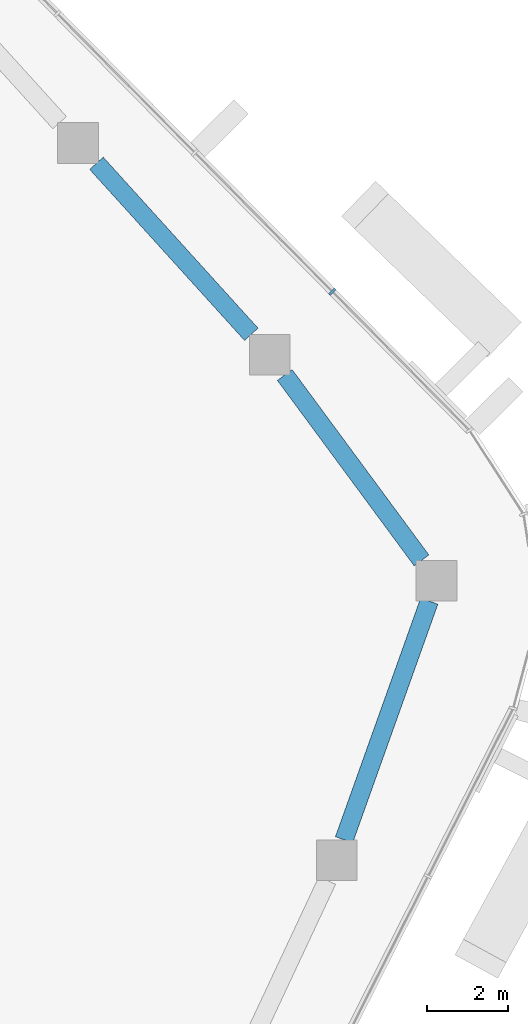
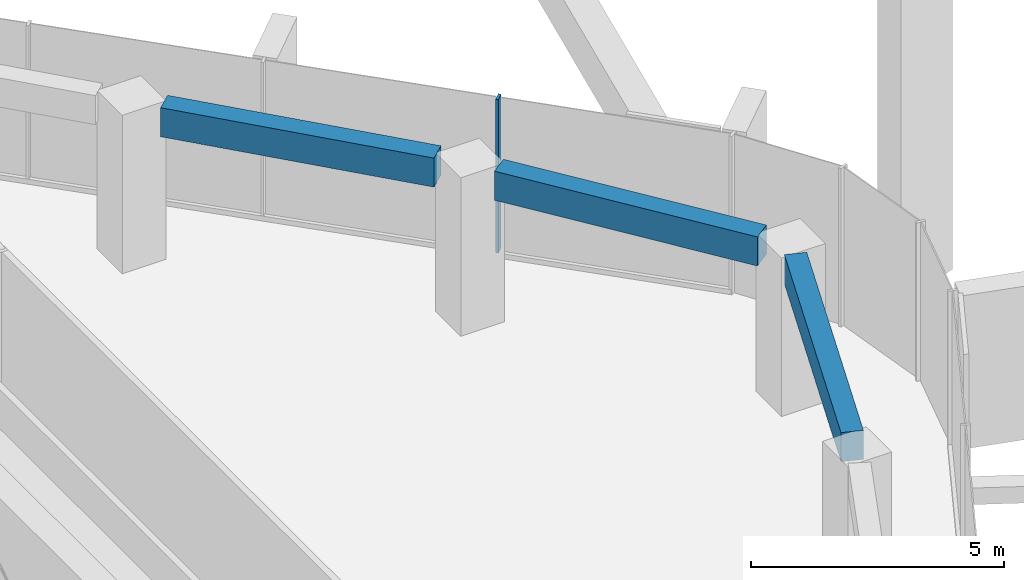
# One storey, part 8 of 23: 3 beams, 1 member, 1 element without a shape of its own.
"""IFC4 building model written with IfcOpenShell, lengths in metres."""

import ifcopenshell
import ifcopenshell.guid

model = None  # the IFC model being written
_history = None  # IfcOwnerHistory: only IFC2X3 demands one
_inside = {}  # id of a spatial element -> (the spatial element, [elements in it])
_under = {}  # id of a project, library or spatial element -> (it, [spatial elements below it])
_declared = {}  # id of a project -> (the project, [libraries it declares])
_typed = {}  # id of a type object -> (the type object, [elements of that type])
_made_of = {}  # id of a material, layer set ... -> (it, [elements and type objects made of it])


def new_model(schema):
    """Start an empty IFC model of exactly this schema.

    Asked for "IFC4X3", IfcOpenShell would pick the latest addendum, in which some entities
    have other attributes; the version numbers below select the first issue.
    IFC2X3 requires an IfcOwnerHistory on every rooted entity: one is made here for all.
    """
    global model, _history
    if schema == "IFC4X3":
        model = ifcopenshell.file(schema_version=(4, 3, 0, 0))
    else:
        model = ifcopenshell.file(schema=schema)
    _inside.clear()
    _under.clear()
    _declared.clear()
    _typed.clear()
    _made_of.clear()
    _history = None
    if model.schema == "IFC2X3":
        org = make("IfcOrganization", Name="unknown")
        user = make(
            "IfcPersonAndOrganization",
            ThePerson=make("IfcPerson", FamilyName="unknown"),
            TheOrganization=org,
        )
        app = make(
            "IfcApplication",
            ApplicationDeveloper=org,
            Version="unknown",
            ApplicationFullName="unknown",
            ApplicationIdentifier="unknown",
        )
        _history = make(
            "IfcOwnerHistory",
            OwningUser=user,
            OwningApplication=app,
            ChangeAction="ADDED",
            CreationDate=0,
        )
    return model


def make(cls, **values):
    """One entity of the class cls with the attributes given. An attribute that is None is left unset."""
    return model.create_entity(
        cls, **{name: value for name, value in values.items() if value is not None}
    )


def rooted(cls, **values):
    """An entity with a GlobalId (a new one), such as an element, a storey or a relation."""
    return make(cls, GlobalId=ifcopenshell.guid.new(), OwnerHistory=_history, **values)


def si_unit(unit_type, name, prefix=None):
    """IfcSIUnit, for example si_unit("LENGTHUNIT", "METRE", prefix="MILLI")."""
    return make("IfcSIUnit", UnitType=unit_type, Prefix=prefix, Name=name)


def assignment(units):
    """IfcUnitAssignment: the units of a project."""
    return None if units is None else make("IfcUnitAssignment", Units=units)


def point(xyz):
    """IfcCartesianPoint."""
    return None if xyz is None else make("IfcCartesianPoint", Coordinates=xyz)


def direction(xyz):
    """IfcDirection."""
    return None if xyz is None else make("IfcDirection", DirectionRatios=xyz)


def frame(location, z_axis=None, x_axis=None):
    """IfcAxis2Placement3D, a coordinate frame: its origin and axes. An axis left out is left unset."""
    return make(
        "IfcAxis2Placement3D",
        Location=point(location),
        Axis=direction(z_axis),
        RefDirection=direction(x_axis),
    )


def frame_2d(location, x_axis=None):
    """IfcAxis2Placement2D, a coordinate frame in the plane: its origin and x axis."""
    return make(
        "IfcAxis2Placement2D", Location=point(location), RefDirection=direction(x_axis)
    )


def origin():
    """The frame at (0, 0, 0) with its axes left unset."""
    return frame((0.0, 0.0, 0.0))


def origin_2d():
    """The frame at (0, 0) in the plane with its x axis left unset."""
    return frame_2d((0.0, 0.0))


def place(relative_to, where):
    """IfcLocalPlacement: puts the frame where relative to a parent placement (None: the world)."""
    return make(
        "IfcLocalPlacement", PlacementRelTo=relative_to, RelativePlacement=where
    )


def context(
    kind, dimensions, precision=None, world=None, true_north=None, identifier=None
):
    """IfcGeometricRepresentationContext, for example the 3D "Model" context."""
    return make(
        "IfcGeometricRepresentationContext",
        ContextIdentifier=identifier,
        ContextType=kind,
        CoordinateSpaceDimension=dimensions,
        Precision=precision,
        WorldCoordinateSystem=world,
        TrueNorth=true_north,
    )


def subcontext(parent, identifier, kind, view, scale=None):
    """IfcGeometricRepresentationSubContext, for example "Body" below "Model"."""
    return make(
        "IfcGeometricRepresentationSubContext",
        ContextIdentifier=identifier,
        ContextType=kind,
        ParentContext=parent,
        TargetScale=scale,
        TargetView=view,
    )


def project(units=None, contexts=None):
    """IfcProject with its units and contexts."""
    return rooted(
        "IfcProject",
        Name="project",
        RepresentationContexts=contexts,
        UnitsInContext=assignment(units),
    )


def spatial(cls, under=None, at=None, **own):
    """A site, building, storey or space (cls), placed at a placement, below another one or the project."""
    s = rooted(cls, ObjectPlacement=at, **own)
    if under is not None:
        _under.setdefault(under.id(), (under, []))[1].append(s)
    return s


def profile(cls, at=None, kind="AREA", **sizes):
    """A parametric profile (cls). Its sizes go by their IFC names, for example OverallWidth=200.0."""
    return make(cls, ProfileType=kind, Position=at, **sizes)


def rectangle(**sizes):
    """IfcRectangleProfileDef."""
    return profile("IfcRectangleProfileDef", **sizes)


def extrude(swept, where, along, depth):
    """IfcExtrudedAreaSolid: the profile swept, set in the frame where, extruded along a direction by depth."""
    return make(
        "IfcExtrudedAreaSolid",
        SweptArea=swept,
        Position=where,
        ExtrudedDirection=direction(along),
        Depth=depth,
    )


def shape(context_of_items, identifier, shape_type, items):
    """IfcShapeRepresentation: the items that make up one representation, for example the "Body"."""
    return make(
        "IfcShapeRepresentation",
        ContextOfItems=context_of_items,
        RepresentationIdentifier=identifier,
        RepresentationType=shape_type,
        Items=items,
    )


def material(Name=None, Category=None):
    """IfcMaterial."""
    return make("IfcMaterial", Name=Name, Category=Category)


def layer(
    of_material, thickness, ventilated=None, Name=None, Category=None, Priority=None
):
    """IfcMaterialLayer: one layer of a wall or slab, of a material (None: an air gap)."""
    return make(
        "IfcMaterialLayer",
        Material=of_material,
        LayerThickness=thickness,
        IsVentilated=ventilated,
        Name=Name,
        Category=Category,
        Priority=Priority,
    )


def layer_set(layers, Name=None):
    """IfcMaterialLayerSet."""
    return make("IfcMaterialLayerSet", MaterialLayers=layers, LayerSetName=Name)


def material_profile(
    of_material, cross_section, Name=None, Category=None, Priority=None
):
    """IfcMaterialProfile: a cross section and its material."""
    return make(
        "IfcMaterialProfile",
        Name=Name,
        Material=of_material,
        Profile=cross_section,
        Priority=Priority,
        Category=Category,
    )


def profile_set(profiles, Name=None, composite=None):
    """IfcMaterialProfileSet."""
    return make(
        "IfcMaterialProfileSet",
        Name=Name,
        MaterialProfiles=profiles,
        CompositeProfile=composite,
    )


def made_of(thing, what):
    """Note that an element or type object is made of a material, layer set ...; save() writes the relation."""
    if what is not None:
        _made_of.setdefault(what.id(), (what, []))[1].append(thing)
    return thing


def type_object(cls, material=None, **own):
    """A type object (cls), such as IfcWallType, which elements share."""
    return made_of(rooted(cls, **own), material)


def element(
    cls,
    number,
    at=None,
    inside=None,
    cuts=None,
    type_object=None,
    material=None,
    context=None,
    identifier="Body",
    shape_type=None,
    held_by="IfcProductDefinitionShape",
    body=None,
    shapes=None,
    **own,
):
    """One element of the class cls, such as IfcWall. Its Tag is "e" and its number.

    at: its placement. inside: the storey or other place that contains it. cuts: it is an
    opening in that element (IfcRelVoidsElement). A single representation is given by context,
    identifier, shape_type and body (its items); several are given by shapes. held_by: the class
    of the entity that holds the representations. save() writes the other relations.
    """
    e = rooted(cls, Tag="e%d" % number, ObjectPlacement=at, **own)
    if body is not None:
        shapes = [shape(context, identifier, shape_type, body)]
    if shapes is not None:
        e.Representation = make(held_by, Representations=shapes)
    if inside is not None:
        _inside.setdefault(inside.id(), (inside, []))[1].append(e)
    if cuts is not None:
        rooted(
            "IfcRelVoidsElement", RelatingBuildingElement=cuts, RelatedOpeningElement=e
        )
    if type_object is not None:
        _typed.setdefault(type_object.id(), (type_object, []))[1].append(e)
    return made_of(e, material)


def aggregate(whole, parts):
    """IfcRelAggregates: a whole, such as a stair, and the parts it consists of."""
    return rooted("IfcRelAggregates", RelatingObject=whole, RelatedObjects=parts)


def save(model, path):
    """Write the relations noted so far, then the file.

    IfcRelAggregates (storeys below a building ...), IfcRelContainedInSpatialStructure (elements
    in a storey), IfcRelDefinesByType, IfcRelAssociatesMaterial and IfcRelDeclares: one each for
    every whole, place, type object, material and project.
    """
    for whole, parts in _under.values():
        aggregate(whole, parts)
    for where, things in _inside.values():
        rooted(
            "IfcRelContainedInSpatialStructure",
            RelatedElements=things,
            RelatingStructure=where,
        )
    for kind, things in _typed.values():
        rooted("IfcRelDefinesByType", RelatedObjects=things, RelatingType=kind)
    for what, things in _made_of.values():
        rooted("IfcRelAssociatesMaterial", RelatedObjects=things, RelatingMaterial=what)
    for by, libraries in _declared.values():
        rooted("IfcRelDeclares", RelatingContext=by, RelatedDefinitions=libraries)
    model.write(path)


model = new_model("IFC4")

# Units and contexts
model_context = context("Model", 3, precision=1e-05, world=origin(), true_north=direction((0.0, 1.0)))
body_context = subcontext(model_context, "Body", "Model", "MODEL_VIEW")
ifc_project = project(units=[si_unit("LENGTHUNIT", "METRE"), si_unit("AREAUNIT", "SQUARE_METRE"), si_unit("VOLUMEUNIT", "CUBIC_METRE"), si_unit("PLANEANGLEUNIT", "RADIAN"), si_unit("MASSUNIT", "GRAM", prefix="KILO")], contexts=[model_context])

# Site, building, storey
site_placement = place(None, origin())
site = spatial("IfcSite", under=ifc_project, at=site_placement, CompositionType="ELEMENT")
building_placement = place(site_placement, origin())
building = spatial("IfcBuilding", under=site, at=building_placement, Name="Dongbaek Canopy Tower", CompositionType="ELEMENT")
storey_placement = place(building_placement, frame((0.0, 0.0, 319.39990234375)))
storey = spatial("IfcBuildingStorey", under=building, at=storey_placement, Name="L68", CompositionType="ELEMENT", Elevation=319.39990234375)

# Curtain wall, member
ifc_material_1 = material(Name="Aluminium 6063-T6 pale anodised", Category="aluminium")
ifc_layer = layer(ifc_material_1, 0.199951171875)
ifc_layer_set = layer_set([ifc_layer], Name="CW-1 unitised tower curtain wall")
curtain_wall_type = type_object("IfcCurtainWallType", Name="CW-1 unitised tower curtain wall", PredefinedType="NOTDEFINED", material=ifc_layer_set)
curtain_wall_placement = place(storey_placement, origin())
curtain_wall = element("IfcCurtainWall", 1, at=curtain_wall_placement, inside=storey, type_object=curtain_wall_type, Name="CW-1 curtain wall F0.1", PredefinedType="NOTDEFINED")
ifc_material_2 = material(Name="Aluminium 6063-T6 pale anodised", Category="aluminium")
ifc_material_profile_1 = material_profile(ifc_material_2, rectangle(XDim=0.199951171875, YDim=0.06005859375, at=origin_2d()), Name="CW-1 mullion 60 x 200")
ifc_profile_set_1 = profile_set([ifc_material_profile_1], Name="Aluminium 6063-T6 pale anodised")
member_type = type_object("IfcMemberType", Name="CW-1 mullion 60 x 200", PredefinedType="MULLION", material=ifc_profile_set_1)
member_placement = place(storey_placement, frame((28.243408203125, 13.805419921875, 0.1201171875), z_axis=(0.0, 0.0, 1.0), x_axis=(0.711035260325, 0.703156354287, 0.0)))
member = element("IfcMember", 2, at=member_placement, type_object=member_type, Name="CW-1 mullion F0.1.2", PredefinedType="MULLION", context=body_context, shape_type="SweptSolid", body=[
    extrude(rectangle(XDim=0.199951171875, YDim=0.06005859375, at=origin_2d()), origin(), (0.0, 0.0, 1.0), 3.699951171875),
])
aggregate(curtain_wall, [member])

# Beams
ifc_material_3 = material(Name="Concrete C60", Category="concrete")
ifc_material_profile_2 = material_profile(ifc_material_3, rectangle(XDim=0.449951171875, YDim=0.699951171875, at=origin_2d()), Name="RC EDGE BEAM 450x700 C60")
ifc_profile_set_2 = profile_set([ifc_material_profile_2], Name="Concrete C60")
beam_type = type_object("IfcBeamType", Name="RC EDGE BEAM 450x700 C60", PredefinedType="BEAM", material=ifc_profile_set_2)
beam_1_placement = place(storey_placement, frame((22.442626953125, 16.9619140625, 3.47021484375), z_axis=(0.671227680473, -0.741251240112, 0.0), x_axis=(0.741251240112, 0.671227680473, 0.0)))
element("IfcBeam", 3, at=beam_1_placement, inside=storey, type_object=beam_type, Name="EDGEBEAM:L68:19", PredefinedType="BEAM", context=body_context, shape_type="SweptSolid", body=[
    extrude(rectangle(XDim=0.449951171875, YDim=0.699951171875, at=origin_2d()), origin(), (0.0, 0.0, 1.0), 5.672607421875),
])
beam_2_placement = place(storey_placement, frame((27.072021484375, 11.757080078125, 3.47021484375), z_axis=(0.593735402363, -0.804660345724, 0.0), x_axis=(0.804660345724, 0.593735402363, 0.0)))
element("IfcBeam", 4, at=beam_2_placement, inside=storey, type_object=beam_type, Name="EDGEBEAM:L68:20", PredefinedType="BEAM", context=body_context, shape_type="SweptSolid", body=[
    extrude(rectangle(XDim=0.449951171875, YDim=0.699951171875, at=origin_2d()), origin(), (0.0, 0.0, 1.0), 5.665771484375),
])
beam_3_placement = place(storey_placement, frame((30.626220703125, 6.197998046875, 3.47021484375), z_axis=(-0.336443121865, -0.941703788752, 0.0), x_axis=(0.941703788752, -0.336443121865, 0.0)))
element("IfcBeam", 5, at=beam_3_placement, inside=storey, type_object=beam_type, Name="EDGEBEAM:L68:21", PredefinedType="BEAM", context=body_context, shape_type="SweptSolid", body=[
    extrude(rectangle(XDim=0.449951171875, YDim=0.699951171875, at=origin_2d()), origin(), (0.0, 0.0, 1.0), 6.231201171875),
])

save(model, "model.ifc")
